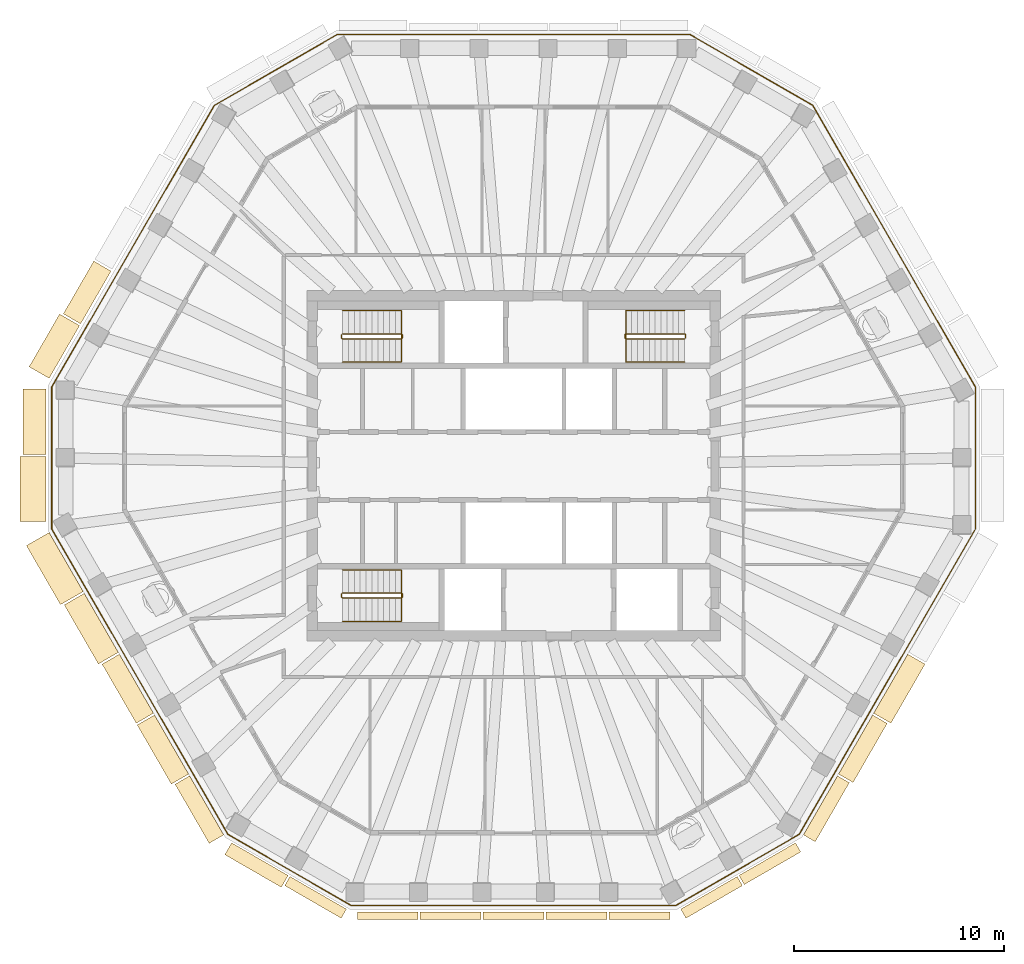
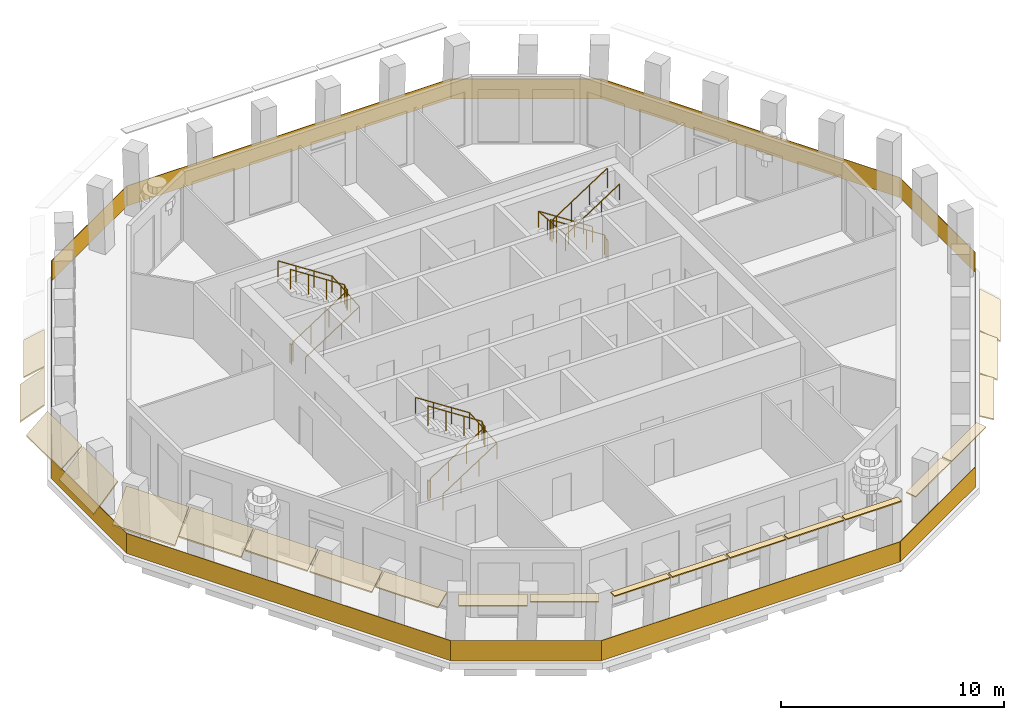
# One storey, part 8 of 11: 21 coverings, 7 railings.
"""IFC4 building model written with IfcOpenShell, lengths in metres."""

from ifc_helpers import new_model, si_unit, direction, frame, origin, origin_2d, place, context, subcontext, project, spatial, polyline, rectangle, circle, outline, extrude, material, layer, layer_set, type_object, element, save


model = new_model("IFC4")

# Units and contexts
model_context = context("Model", 3, precision=1e-05, world=origin(), true_north=direction((0.0, 1.0)))
body_context = subcontext(model_context, "Body", "Model", "MODEL_VIEW")
ifc_project = project(units=[si_unit("LENGTHUNIT", "METRE"), si_unit("AREAUNIT", "SQUARE_METRE"), si_unit("VOLUMEUNIT", "CUBIC_METRE"), si_unit("PLANEANGLEUNIT", "RADIAN"), si_unit("MASSUNIT", "GRAM", prefix="KILO")], contexts=[model_context])

# Site, building, storey
site_placement = place(None, origin())
site = spatial("IfcSite", under=ifc_project, at=site_placement, CompositionType="ELEMENT")
building_placement = place(site_placement, origin())
building = spatial("IfcBuilding", under=site, at=building_placement, Name="Frailejon Research Tower", CompositionType="ELEMENT")
storey_placement = place(building_placement, frame((0.0, 0.0, 320.60009765625)))
storey = spatial("IfcBuildingStorey", under=building, at=storey_placement, Name="L71", CompositionType="ELEMENT", Elevation=320.60009765625)

# Coverings
ifc_material_1 = material(Name="Precast concrete C50/60", Category="concrete")
ifc_layer_1 = layer(ifc_material_1, 0.06005859375)
ifc_layer_set_1 = layer_set([ifc_layer_1], Name="Brim blade depth 1100")
covering_type_1 = type_object("IfcCoveringType", Name="Brim blade depth 1100", PredefinedType="CLADDING", material=ifc_layer_set_1)
covering_1_placement = place(storey_placement, frame((-22.12890625, 4.17724609375, 3.849853515625), z_axis=(0.500005339875, 0.866022320784, 0.0), x_axis=(-0.866022320784, 0.500005339875, 0.0)))
element("IfcCovering", 1, at=covering_1_placement, inside=storey, type_object=covering_type_1, Name="Brim blade L71", PredefinedType="CLADDING", context=body_context, shape_type="SweptSolid", body=[
    extrude(outline(polyline([(0.0, -0.078369140625), (1.10009765625, -1.001220703125), (1.10009765625, -0.923095703125), (0.0, 0.0), (0.0, -0.078369140625)])), origin(), (0.0, 0.0, 1.0), 2.898681640625),
])
covering_2_placement = place(storey_placement, frame((-22.267822265625, 0.552734375, 3.849853515625), z_axis=(0.0, 1.0, 0.0), x_axis=(-1.0, 0.0, 0.0)))
element("IfcCovering", 2, at=covering_2_placement, inside=storey, type_object=covering_type_1, Name="Brim blade L71", PredefinedType="CLADDING", context=body_context, shape_type="SweptSolid", body=[
    extrude(outline(polyline([(0.0, -0.078369140625), (1.10009765625, -1.001220703125), (1.10009765625, -0.923095703125), (0.0, 0.0), (0.0, -0.078369140625)])), origin(), (0.0, 0.0, 1.0), 3.106201171875),
])
covering_3_placement = place(storey_placement, frame((-18.831787109375, -8.88232421875, 3.849853515625), z_axis=(-0.500007792011, 0.866020905018, 0.0), x_axis=(-0.866020905018, -0.500007792011, 0.0)))
element("IfcCovering", 3, at=covering_3_placement, inside=storey, type_object=covering_type_1, Name="Brim blade L71", PredefinedType="CLADDING", context=body_context, shape_type="SweptSolid", body=[
    extrude(outline(polyline([(0.0, -0.078369140625), (1.10009765625, -1.001220703125), (1.10009765625, -0.923095703125), (0.0, 0.0), (0.0, -0.078369140625)])), origin(), (0.0, 0.0, 1.0), 3.2470703125),
])
ifc_material_2 = material(Name="Precast concrete C50/60", Category="concrete")
ifc_layer_2 = layer(ifc_material_2, 0.06005859375)
ifc_layer_set_2 = layer_set([ifc_layer_2], Name="Brim blade depth 1250")
covering_type_2 = type_object("IfcCoveringType", Name="Brim blade depth 1250", PredefinedType="CLADDING", material=ifc_layer_set_2)
covering_4_placement = place(storey_placement, frame((-22.267822265625, -2.6533203125, 3.849853515625), z_axis=(0.0, 1.0, 0.0), x_axis=(-1.0, 0.0, 0.0)))
element("IfcCovering", 4, at=covering_4_placement, inside=storey, type_object=covering_type_2, Name="Brim blade L71", PredefinedType="CLADDING", context=body_context, shape_type="SweptSolid", body=[
    extrude(outline(polyline([(0.0, -0.0888671875), (1.25, -1.452880859375), (1.25, -1.364013671875), (0.0, 0.0), (0.0, -0.0888671875)])), origin(), (0.0, 0.0, 1.0), 3.10595703125),
])
covering_5_placement = place(storey_placement, frame((-20.50537109375, -5.983642578125, 3.849853515625), z_axis=(-0.499985384824, 0.866033841696, 0.0), x_axis=(-0.866033841696, -0.499985384824, 0.0)))
element("IfcCovering", 5, at=covering_5_placement, inside=storey, type_object=covering_type_2, Name="Brim blade L71", PredefinedType="CLADDING", context=body_context, shape_type="SweptSolid", body=[
    extrude(outline(polyline([(0.0, -0.0888671875), (1.25, -1.452880859375), (1.25, -1.364013671875), (0.0, 0.0), (0.0, -0.0888671875)])), origin(), (0.0, 0.0, 1.0), 3.2470703125),
])
ifc_material_3 = material(Name="Precast concrete C50/60", Category="concrete")
ifc_layer_3 = layer(ifc_material_3, 0.06005859375)
ifc_layer_set_3 = layer_set([ifc_layer_3], Name="Brim blade depth 350")
covering_type_3 = type_object("IfcCoveringType", Name="Brim blade depth 350", PredefinedType="CLADDING", material=ifc_layer_set_3)
for number, where, z_axis, x_axis, name in (
    (6, (-4.548095703125, -21.252685546875, 3.849853515625), (-1.0, 0.0, 0.0), (0.0, -1.0, 0.0), "Brim blade L71"),
    (7, (-1.54931640625, -21.252685546875, 3.849853515625), (-1.0, 0.0, 0.0), (0.0, -1.0, 0.0), "Brim blade L71"),
    (8, (1.449462890625, -21.252685546875, 3.849853515625), (-1.0, 0.0, 0.0), (0.0, -1.0, 0.0), "Brim blade L71"),
    (9, (4.4482421875, -21.252685546875, 3.849853515625), (-1.0, 0.0, 0.0), (0.0, -1.0, 0.0), "Brim blade L71"),
    (10, (7.447021484375, -21.252685546875, 3.849853515625), (-1.0, 0.0, 0.0), (0.0, -1.0, 0.0), "Brim blade L71"),
):
    element("IfcCovering", number, at=place(storey_placement, frame(where, z_axis=z_axis, x_axis=x_axis)), inside=storey, type_object=covering_type_3, Name=name, PredefinedType="CLADDING", context=body_context, shape_type="SweptSolid", body=[
        extrude(outline(polyline([(0.0, -0.06005859375), (0.35009765625, -0.06005859375), (0.35009765625, 0.0), (0.0, 0.0), (0.0, -0.06005859375)])), origin(), (0.0, 0.0, 1.0), 2.898681640625),
    ])
ifc_material_4 = material(Name="Precast concrete C50/60", Category="concrete")
ifc_layer_4 = layer(ifc_material_4, 0.06005859375)
ifc_layer_set_4 = layer_set([ifc_layer_4], Name="Brim blade depth 500")
covering_type_4 = type_object("IfcCoveringType", Name="Brim blade depth 500", PredefinedType="CLADDING", material=ifc_layer_set_4)
for number, where, z_axis, x_axis, name in (
    (11, (-7.965087890625, -21.114013671875, 3.849853515625), (-0.866034959906, 0.499983447946, 0.0), (-0.499983447946, -0.866034959906, 0.0), "Brim blade L71"),
    (12, (10.6552734375, -19.560791015625, 3.849853515625), (-0.866034959906, -0.499983447946, 0.0), (0.499983447946, -0.866034959906, 0.0), "Brim blade L71"),
):
    element("IfcCovering", number, at=place(storey_placement, frame(where, z_axis=z_axis, x_axis=x_axis)), inside=storey, type_object=covering_type_4, Name=name, PredefinedType="CLADDING", context=body_context, shape_type="SweptSolid", body=[
        extrude(outline(polyline([(0.0, -0.060546875), (0.5, -0.130859375), (0.5, -0.0703125), (0.0, 0.0), (0.0, -0.060546875)])), origin(), (0.0, 0.0, 1.0), 3.106201171875),
    ])
covering_6_placement = place(storey_placement, frame((13.431640625, -17.9580078125, 3.849853515625), z_axis=(-0.86602716254, -0.499996953734, 0.0), x_axis=(0.499996953734, -0.86602716254, 0.0)))
element("IfcCovering", 13, at=covering_6_placement, inside=storey, type_object=covering_type_4, Name="Brim blade L71", PredefinedType="CLADDING", context=body_context, shape_type="SweptSolid", body=[
    extrude(outline(polyline([(0.0, -0.060546875), (0.5, -0.130859375), (0.5, -0.0703125), (0.0, 0.0), (0.0, -0.060546875)])), origin(), (0.0, 0.0, 1.0), 3.10595703125),
])
ifc_material_5 = material(Name="Precast concrete C50/60", Category="concrete")
ifc_layer_5 = layer(ifc_material_5, 0.06005859375)
ifc_layer_set_5 = layer_set([ifc_layer_5], Name="Brim blade depth 650")
covering_type_5 = type_object("IfcCoveringType", Name="Brim blade depth 650", PredefinedType="CLADDING", material=ifc_layer_set_5)
covering_7_placement = place(storey_placement, frame((-10.74169921875, -19.510986328125, 3.849853515625), z_axis=(-0.86602716254, 0.499996953734, 0.0), x_axis=(-0.499996953734, -0.86602716254, 0.0)))
element("IfcCovering", 14, at=covering_7_placement, inside=storey, type_object=covering_type_5, Name="Brim blade L71", PredefinedType="CLADDING", context=body_context, shape_type="SweptSolid", body=[
    extrude(outline(polyline([(0.0, -0.0625), (0.64990234375, -0.248779296875), (0.64990234375, -0.186279296875), (0.0, 0.0), (0.0, -0.0625)])), origin(), (0.0, 0.0, 1.0), 3.10595703125),
])
covering_8_placement = place(storey_placement, frame((15.434814453125, -14.766357421875, 3.849853515625), z_axis=(-0.500007792011, -0.866020905018, 0.0), x_axis=(0.866020905018, -0.500007792011, 0.0)))
element("IfcCovering", 15, at=covering_8_placement, inside=storey, type_object=covering_type_5, Name="Brim blade L71", PredefinedType="CLADDING", context=body_context, shape_type="SweptSolid", body=[
    extrude(outline(polyline([(0.0, -0.0625), (0.64990234375, -0.248779296875), (0.64990234375, -0.186279296875), (0.0, 0.0), (0.0, -0.0625)])), origin(), (0.0, 0.0, 1.0), 3.2470703125),
])
ifc_material_6 = material(Name="Precast concrete C50/60", Category="concrete")
ifc_layer_6 = layer(ifc_material_6, 0.06005859375)
ifc_layer_set_6 = layer_set([ifc_layer_6], Name="Brim blade depth 800")
covering_type_6 = type_object("IfcCoveringType", Name="Brim blade depth 800", PredefinedType="CLADDING", material=ifc_layer_set_6)
for number, where, z_axis, x_axis, name in (
    (16, (-13.81103515625, -17.57861328125, 3.849853515625), (-0.500007792011, 0.866020905018, 0.0), (-0.866020905018, -0.500007792011, 0.0), "Brim blade L71"),
    (17, (17.108154296875, -11.86767578125, 3.849853515625), (-0.499985384824, -0.866033841696, 0.0), (0.866033841696, -0.499985384824, 0.0), "Brim blade L71"),
):
    element("IfcCovering", number, at=place(storey_placement, frame(where, z_axis=z_axis, x_axis=x_axis)), inside=storey, type_object=covering_type_6, Name=name, PredefinedType="CLADDING", context=body_context, shape_type="SweptSolid", body=[
        extrude(outline(polyline([(0.0, -0.065673828125), (0.800048828125, -0.421875), (0.800048828125, -0.356201171875), (0.0, 0.0), (0.0, -0.065673828125)])), origin(), (0.0, 0.0, 1.0), 3.2470703125),
    ])
ifc_material_7 = material(Name="Precast concrete C50/60", Category="concrete")
ifc_layer_7 = layer(ifc_material_7, 0.06005859375)
ifc_layer_set_7 = layer_set([ifc_layer_7], Name="Brim blade depth 950")
covering_type_7 = type_object("IfcCoveringType", Name="Brim blade depth 950", PredefinedType="CLADDING", material=ifc_layer_set_7)
covering_9_placement = place(storey_placement, frame((-20.62939453125, 6.774169921875, 3.849853515625), z_axis=(0.499980329235, 0.866036760408, 0.0), x_axis=(-0.866036760408, 0.499980329235, 0.0)))
element("IfcCovering", 18, at=covering_9_placement, inside=storey, type_object=covering_type_7, Name="Brim blade L71", PredefinedType="CLADDING", context=body_context, shape_type="SweptSolid", body=[
    extrude(outline(polyline([(0.0, -0.07080078125), (0.949951171875, -0.664306640625), (0.949951171875, -0.593505859375), (0.0, 0.0), (0.0, -0.07080078125)])), origin(), (0.0, 0.0, 1.0), 2.898681640625),
])
covering_10_placement = place(storey_placement, frame((-17.158203125, -11.781005859375, 3.849853515625), z_axis=(-0.4999948551, 0.866028374173, 0.0), x_axis=(-0.866028374173, -0.4999948551, 0.0)))
element("IfcCovering", 19, at=covering_10_placement, inside=storey, type_object=covering_type_7, Name="Brim blade L71", PredefinedType="CLADDING", context=body_context, shape_type="SweptSolid", body=[
    extrude(outline(polyline([(0.0, -0.07080078125), (0.949951171875, -0.664306640625), (0.949951171875, -0.593505859375), (0.0, 0.0), (0.0, -0.07080078125)])), origin(), (0.0, 0.0, 1.0), 3.247314453125),
])
covering_11_placement = place(storey_placement, frame((-15.484619140625, -14.6796875, 3.849853515625), z_axis=(-0.499985384824, 0.866033841696, 0.0), x_axis=(-0.866033841696, -0.499985384824, 0.0)))
element("IfcCovering", 20, at=covering_11_placement, inside=storey, type_object=covering_type_7, Name="Brim blade L71", PredefinedType="CLADDING", context=body_context, shape_type="SweptSolid", body=[
    extrude(outline(polyline([(0.0, -0.07080078125), (0.949951171875, -0.664306640625), (0.949951171875, -0.593505859375), (0.0, 0.0), (0.0, -0.07080078125)])), origin(), (0.0, 0.0, 1.0), 3.2470703125),
])
covering_12_placement = place(storey_placement, frame((18.78173828125, -8.968994140625, 3.849853515625), z_axis=(-0.4999948551, -0.866028374173, 0.0), x_axis=(0.866028374173, -0.4999948551, 0.0)))
element("IfcCovering", 21, at=covering_12_placement, inside=storey, type_object=covering_type_7, Name="Brim blade L71", PredefinedType="CLADDING", context=body_context, shape_type="SweptSolid", body=[
    extrude(outline(polyline([(0.0, -0.07080078125), (0.949951171875, -0.664306640625), (0.949951171875, -0.593505859375), (0.0, 0.0), (0.0, -0.07080078125)])), origin(), (0.0, 0.0, 1.0), 3.247314453125),
])

# Railings
ifc_material_8 = material(Name="Laminated glass balustrade", Category="glass")
railing_type_1 = type_object("IfcRailingType", Name="Glass guard 1100", PredefinedType="GUARDRAIL", material=ifc_material_8)
railing_1_placement = place(storey_placement, frame((22.00634765625, -3.006103515625, 0.0)))
element("IfcRailing", 22, at=railing_1_placement, inside=storey, type_object=railing_type_1, Name="Loggia guard L71", PredefinedType="GUARDRAIL", context=body_context, shape_type="SweptSolid", body=[
    extrude(rectangle(XDim=6.766357421875, YDim=0.030029296875, at=origin_2d()), frame((0.0, 3.38330078125, 0.0), z_axis=(0.0, 0.0, 1.0), x_axis=(0.0, 1.0, 0.0)), (0.0, 0.0, 1.0), 1.10009765625),
    extrude(rectangle(XDim=15.493408203125, YDim=0.030029296875, at=origin_2d()), frame((-3.873291015625, 13.47509765625, 0.0), z_axis=(0.0, 0.0, 1.0), x_axis=(-0.499992986478, 0.866029453005, 0.0)), (0.0, 0.0, 1.0), 1.10009765625),
    extrude(rectangle(XDim=6.766357421875, YDim=0.030029296875, at=origin_2d()), frame((-10.676513671875, 21.87548828125, 0.0), z_axis=(0.0, 0.0, 1.0), x_axis=(-0.866034171151, 0.499984814167, 0.0)), (0.0, 0.0, 1.0), 1.10009765625),
    extrude(rectangle(XDim=16.7998046875, YDim=0.030029296875, at=origin_2d()), frame((-22.00634765625, 23.567138671875, 0.0), z_axis=(0.0, 0.0, 1.0), x_axis=(-1.0, 0.0, 0.0)), (0.0, 0.0, 1.0), 1.10009765625),
    extrude(rectangle(XDim=6.766357421875, YDim=0.030029296875, at=origin_2d()), frame((-33.336181640625, 21.87548828125, 0.0), z_axis=(0.0, 0.0, 1.0), x_axis=(-0.866034171151, -0.499984814167, 0.0)), (0.0, 0.0, 1.0), 1.10009765625),
    extrude(rectangle(XDim=15.493408203125, YDim=0.030029296875, at=origin_2d()), frame((-40.139404296875, 13.47509765625, 0.0), z_axis=(0.0, 0.0, 1.0), x_axis=(-0.499992986478, -0.866029453005, 0.0)), (0.0, 0.0, 1.0), 1.10009765625),
    extrude(rectangle(XDim=6.766357421875, YDim=0.030029296875, at=origin_2d()), frame((-44.0126953125, 3.38330078125, 0.0), z_axis=(0.0, 0.0, 1.0), x_axis=(0.0, -1.0, 0.0)), (0.0, 0.0, 1.0), 1.10009765625),
    extrude(rectangle(XDim=16.799560546875, YDim=0.030029296875, at=origin_2d()), frame((-39.812744140625, -7.2744140625, 0.0), z_axis=(0.0, 0.0, 1.0), x_axis=(0.500005915725, -0.866021988312, 0.0)), (0.0, 0.0, 1.0), 1.10009765625),
    extrude(rectangle(XDim=6.766357421875, YDim=0.030029296875, at=origin_2d()), frame((-32.682861328125, -16.240478515625, 0.0), z_axis=(0.0, 0.0, 1.0), x_axis=(0.866018547471, -0.500011875296, 0.0)), (0.0, 0.0, 1.0), 1.10009765625),
    extrude(rectangle(XDim=15.4931640625, YDim=0.030029296875, at=origin_2d()), frame((-22.00634765625, -17.93212890625, 0.0), z_axis=(0.0, 0.0, 1.0), x_axis=(1.0, 0.0, 0.0)), (0.0, 0.0, 1.0), 1.10009765625),
    extrude(rectangle(XDim=6.766357421875, YDim=0.030029296875, at=origin_2d()), frame((-11.329833984375, -16.240478515625, 0.0), z_axis=(0.0, 0.0, 1.0), x_axis=(0.866018547471, 0.500011875296, 0.0)), (0.0, 0.0, 1.0), 1.10009765625),
    extrude(rectangle(XDim=16.729736328125, YDim=0.030029296875, at=origin_2d()), frame((-4.21728515625, -7.3046875, 0.0), z_axis=(0.0, 0.0, 1.0), x_axis=(0.500007941892, 0.866020818482, 0.0)), (0.0, 0.0, 1.0), 1.10009765625),
])
ifc_material_9 = material(Name="Stainless steel", Category="steel")
railing_type_2 = type_object("IfcRailingType", Name="Stair guard 1100", PredefinedType="GUARDRAIL", material=ifc_material_9)
railing_2_placement = place(storey_placement, frame((-8.199951171875, 6.25, 0.0)))
element("IfcRailing", 23, at=railing_2_placement, inside=storey, type_object=railing_type_2, Name="L71 ST1 stair guard 1", PredefinedType="GUARDRAIL", context=body_context, shape_type="SweptSolid", body=[
    extrude(circle(Radius=0.02392578125, at=origin_2d()), frame((0.0, 0.0, 1.076171875), z_axis=(0.0, -1.0, 0.0), x_axis=(1.0, 0.0, 0.0)), (0.0, 0.0, 1.0), 0.14990234375),
    extrude(circle(Radius=0.02392578125, at=origin_2d()), frame((0.0, -0.14990234375, 1.076171875), z_axis=(0.256734642926, -0.256734642926, 0.931758899203), x_axis=(0.707106781187, 0.707106781187, 0.0)), (0.0, 0.0, 1.0), 0.19482421875),
    extrude(circle(Radius=0.02392578125, at=origin_2d()), frame((0.050048828125, -0.199951171875, 1.2578125), z_axis=(0.838650734948, 0.0, 0.544669573936), x_axis=(0.0, 1.0, 0.0)), (0.0, 0.0, 1.0), 3.33837890625),
    extrude(circle(Radius=0.02392578125, at=origin_2d()), frame((2.849853515625, -0.199951171875, 3.076171875), z_axis=(0.707106781187, 0.707106781187, 0.0), x_axis=(-0.707106781187, 0.707106781187, 0.0)), (0.0, 0.0, 1.0), 0.07080078125),
    extrude(circle(Radius=0.02392578125, at=origin_2d()), frame((2.89990234375, -0.14990234375, 3.076171875), z_axis=(0.0, 1.0, 0.0), x_axis=(-1.0, 0.0, 0.0)), (0.0, 0.0, 1.0), 0.14990234375),
    extrude(circle(Radius=0.02392578125, at=origin_2d()), frame((2.89990234375, 0.0, 3.076171875), z_axis=(-0.256734642926, 0.256734642926, 0.931758899203), x_axis=(-0.707106781187, -0.707106781187, 0.0)), (0.0, 0.0, 1.0), 0.19482421875),
    extrude(circle(Radius=0.02392578125, at=origin_2d()), frame((2.849853515625, 0.050048828125, 3.2578125), z_axis=(-0.838650734948, 0.0, 0.544669573936), x_axis=(0.0, -1.0, 0.0)), (0.0, 0.0, 1.0), 3.33837890625),
    extrude(circle(Radius=0.02099609375, at=origin_2d()), origin(), (0.0, 0.0, 1.0), 1.052001953125),
    extrude(circle(Radius=0.02099609375, at=origin_2d()), frame((0.0, -0.14990234375, 0.0)), (0.0, 0.0, 1.0), 1.052001953125),
    extrude(circle(Radius=0.02099609375, at=origin_2d()), frame((0.050048828125, -0.199951171875, 0.181640625)), (0.0, 0.0, 1.0), 1.052001953125),
    extrude(circle(Radius=0.02099609375, at=origin_2d()), frame((0.9833984375, -0.199951171875, 0.787841796875)), (0.0, 0.0, 1.0), 1.052001953125),
    extrude(circle(Radius=0.02099609375, at=origin_2d()), frame((1.91650390625, -0.199951171875, 1.393798828125)), (0.0, 0.0, 1.0), 1.052001953125),
    extrude(circle(Radius=0.02099609375, at=origin_2d()), frame((2.849853515625, -0.199951171875, 2.0)), (0.0, 0.0, 1.0), 1.052001953125),
    extrude(circle(Radius=0.02099609375, at=origin_2d()), frame((2.89990234375, -0.14990234375, 2.0)), (0.0, 0.0, 1.0), 1.052001953125),
    extrude(circle(Radius=0.02099609375, at=origin_2d()), frame((2.89990234375, 0.0, 2.0)), (0.0, 0.0, 1.0), 1.052001953125),
    extrude(circle(Radius=0.02099609375, at=origin_2d()), frame((2.849853515625, 0.050048828125, 2.181640625)), (0.0, 0.0, 1.0), 1.052001953125),
    extrude(circle(Radius=0.02099609375, at=origin_2d()), frame((1.91650390625, 0.050048828125, 2.787841796875)), (0.0, 0.0, 1.0), 1.052001953125),
    extrude(circle(Radius=0.02099609375, at=origin_2d()), frame((0.9833984375, 0.050048828125, 3.393798828125)), (0.0, 0.0, 1.0), 1.052001953125),
    extrude(circle(Radius=0.02099609375, at=origin_2d()), frame((0.050048828125, 0.050048828125, 4.0)), (0.0, 0.0, 1.0), 1.052001953125),
])
railing_3_placement = place(storey_placement, frame((-8.199951171875, -6.10009765625, 0.0)))
element("IfcRailing", 24, at=railing_3_placement, inside=storey, type_object=railing_type_2, Name="L71 ST2 stair guard 1", PredefinedType="GUARDRAIL", context=body_context, shape_type="SweptSolid", body=[
    extrude(circle(Radius=0.02392578125, at=origin_2d()), frame((0.0, 0.0, 1.076171875), z_axis=(0.0, -1.0, 0.0), x_axis=(1.0, 0.0, 0.0)), (0.0, 0.0, 1.0), 0.14990234375),
    extrude(circle(Radius=0.02392578125, at=origin_2d()), frame((0.0, -0.14990234375, 1.076171875), z_axis=(0.256734642926, -0.256734642926, 0.931758899203), x_axis=(0.707106781187, 0.707106781187, 0.0)), (0.0, 0.0, 1.0), 0.19482421875),
    extrude(circle(Radius=0.02392578125, at=origin_2d()), frame((0.050048828125, -0.199951171875, 1.2578125), z_axis=(0.838650734948, 0.0, 0.544669573936), x_axis=(0.0, 1.0, 0.0)), (0.0, 0.0, 1.0), 3.33837890625),
    extrude(circle(Radius=0.02392578125, at=origin_2d()), frame((2.849853515625, -0.199951171875, 3.076171875), z_axis=(0.707106781187, 0.707106781187, 0.0), x_axis=(-0.707106781187, 0.707106781187, 0.0)), (0.0, 0.0, 1.0), 0.07080078125),
    extrude(circle(Radius=0.02392578125, at=origin_2d()), frame((2.89990234375, -0.14990234375, 3.076171875), z_axis=(0.0, 1.0, 0.0), x_axis=(-1.0, 0.0, 0.0)), (0.0, 0.0, 1.0), 0.14990234375),
    extrude(circle(Radius=0.02392578125, at=origin_2d()), frame((2.89990234375, 0.0, 3.076171875), z_axis=(-0.256734642926, 0.256734642926, 0.931758899203), x_axis=(-0.707106781187, -0.707106781187, 0.0)), (0.0, 0.0, 1.0), 0.19482421875),
    extrude(circle(Radius=0.02392578125, at=origin_2d()), frame((2.849853515625, 0.050048828125, 3.2578125), z_axis=(-0.838650734948, 0.0, 0.544669573936), x_axis=(0.0, -1.0, 0.0)), (0.0, 0.0, 1.0), 3.33837890625),
    extrude(circle(Radius=0.02099609375, at=origin_2d()), origin(), (0.0, 0.0, 1.0), 1.052001953125),
    extrude(circle(Radius=0.02099609375, at=origin_2d()), frame((0.0, -0.14990234375, 0.0)), (0.0, 0.0, 1.0), 1.052001953125),
    extrude(circle(Radius=0.02099609375, at=origin_2d()), frame((0.050048828125, -0.199951171875, 0.181640625)), (0.0, 0.0, 1.0), 1.052001953125),
    extrude(circle(Radius=0.02099609375, at=origin_2d()), frame((0.9833984375, -0.199951171875, 0.787841796875)), (0.0, 0.0, 1.0), 1.052001953125),
    extrude(circle(Radius=0.02099609375, at=origin_2d()), frame((1.91650390625, -0.199951171875, 1.393798828125)), (0.0, 0.0, 1.0), 1.052001953125),
    extrude(circle(Radius=0.02099609375, at=origin_2d()), frame((2.849853515625, -0.199951171875, 2.0)), (0.0, 0.0, 1.0), 1.052001953125),
    extrude(circle(Radius=0.02099609375, at=origin_2d()), frame((2.89990234375, -0.14990234375, 2.0)), (0.0, 0.0, 1.0), 1.052001953125),
    extrude(circle(Radius=0.02099609375, at=origin_2d()), frame((2.89990234375, 0.0, 2.0)), (0.0, 0.0, 1.0), 1.052001953125),
    extrude(circle(Radius=0.02099609375, at=origin_2d()), frame((2.849853515625, 0.050048828125, 2.181640625)), (0.0, 0.0, 1.0), 1.052001953125),
    extrude(circle(Radius=0.02099609375, at=origin_2d()), frame((1.91650390625, 0.050048828125, 2.787841796875)), (0.0, 0.0, 1.0), 1.052001953125),
    extrude(circle(Radius=0.02099609375, at=origin_2d()), frame((0.9833984375, 0.050048828125, 3.393798828125)), (0.0, 0.0, 1.0), 1.052001953125),
    extrude(circle(Radius=0.02099609375, at=origin_2d()), frame((0.050048828125, 0.050048828125, 4.0)), (0.0, 0.0, 1.0), 1.052001953125),
])
railing_4_placement = place(storey_placement, frame((8.199951171875, 6.10009765625, 0.0)))
element("IfcRailing", 25, at=railing_4_placement, inside=storey, type_object=railing_type_2, Name="L71 ST3 stair guard 1", PredefinedType="GUARDRAIL", context=body_context, shape_type="SweptSolid", body=[
    extrude(circle(Radius=0.02392578125, at=origin_2d()), frame((0.0, 0.0, 1.076171875), z_axis=(0.0, 1.0, 0.0), x_axis=(-1.0, 0.0, 0.0)), (0.0, 0.0, 1.0), 0.14990234375),
    extrude(circle(Radius=0.02392578125, at=origin_2d()), frame((0.0, 0.14990234375, 1.076171875), z_axis=(-0.256734642926, 0.256734642926, 0.931758899203), x_axis=(-0.707106781187, -0.707106781187, 0.0)), (0.0, 0.0, 1.0), 0.19482421875),
    extrude(circle(Radius=0.02392578125, at=origin_2d()), frame((-0.050048828125, 0.199951171875, 1.2578125), z_axis=(-0.838650734948, 0.0, 0.544669573936), x_axis=(0.0, -1.0, 0.0)), (0.0, 0.0, 1.0), 3.33837890625),
    extrude(circle(Radius=0.02392578125, at=origin_2d()), frame((-2.849853515625, 0.199951171875, 3.076171875), z_axis=(-0.707106781187, -0.707106781187, 0.0), x_axis=(0.707106781187, -0.707106781187, 0.0)), (0.0, 0.0, 1.0), 0.07080078125),
    extrude(circle(Radius=0.02392578125, at=origin_2d()), frame((-2.89990234375, 0.14990234375, 3.076171875), z_axis=(0.0, -1.0, 0.0), x_axis=(1.0, 0.0, 0.0)), (0.0, 0.0, 1.0), 0.14990234375),
    extrude(circle(Radius=0.02392578125, at=origin_2d()), frame((-2.89990234375, 0.0, 3.076171875), z_axis=(0.256734642926, -0.256734642926, 0.931758899203), x_axis=(0.707106781187, 0.707106781187, 0.0)), (0.0, 0.0, 1.0), 0.19482421875),
    extrude(circle(Radius=0.02392578125, at=origin_2d()), frame((-2.849853515625, -0.050048828125, 3.2578125), z_axis=(0.838650734948, 0.0, 0.544669573936), x_axis=(0.0, 1.0, 0.0)), (0.0, 0.0, 1.0), 3.33837890625),
    extrude(circle(Radius=0.02099609375, at=origin_2d()), origin(), (0.0, 0.0, 1.0), 1.052001953125),
    extrude(circle(Radius=0.02099609375, at=origin_2d()), frame((0.0, 0.14990234375, 0.0)), (0.0, 0.0, 1.0), 1.052001953125),
    extrude(circle(Radius=0.02099609375, at=origin_2d()), frame((-0.050048828125, 0.199951171875, 0.181640625)), (0.0, 0.0, 1.0), 1.052001953125),
    extrude(circle(Radius=0.02099609375, at=origin_2d()), frame((-0.9833984375, 0.199951171875, 0.787841796875)), (0.0, 0.0, 1.0), 1.052001953125),
    extrude(circle(Radius=0.02099609375, at=origin_2d()), frame((-1.91650390625, 0.199951171875, 1.393798828125)), (0.0, 0.0, 1.0), 1.052001953125),
    extrude(circle(Radius=0.02099609375, at=origin_2d()), frame((-2.849853515625, 0.199951171875, 2.0)), (0.0, 0.0, 1.0), 1.052001953125),
    extrude(circle(Radius=0.02099609375, at=origin_2d()), frame((-2.89990234375, 0.14990234375, 2.0)), (0.0, 0.0, 1.0), 1.052001953125),
    extrude(circle(Radius=0.02099609375, at=origin_2d()), frame((-2.89990234375, 0.0, 2.0)), (0.0, 0.0, 1.0), 1.052001953125),
    extrude(circle(Radius=0.02099609375, at=origin_2d()), frame((-2.849853515625, -0.050048828125, 2.181640625)), (0.0, 0.0, 1.0), 1.052001953125),
    extrude(circle(Radius=0.02099609375, at=origin_2d()), frame((-1.91650390625, -0.050048828125, 2.787841796875)), (0.0, 0.0, 1.0), 1.052001953125),
    extrude(circle(Radius=0.02099609375, at=origin_2d()), frame((-0.9833984375, -0.050048828125, 3.393798828125)), (0.0, 0.0, 1.0), 1.052001953125),
    extrude(circle(Radius=0.02099609375, at=origin_2d()), frame((-0.050048828125, -0.050048828125, 4.0)), (0.0, 0.0, 1.0), 1.052001953125),
])
ifc_material_10 = material(Name="Stainless steel", Category="steel")
railing_type_3 = type_object("IfcRailingType", Name="Stair handrail 900", PredefinedType="HANDRAIL", material=ifc_material_10)
railing_5_placement = place(storey_placement, frame((-8.14990234375, 4.949951171875, 0.181640625)))
element("IfcRailing", 26, at=railing_5_placement, inside=storey, type_object=railing_type_3, Name="L71 ST1 stair handrail 1", PredefinedType="HANDRAIL", context=body_context, shape_type="SweptSolid", body=[
    extrude(circle(Radius=0.02392578125, at=origin_2d()), frame((0.0, 0.0, 0.8759765625), z_axis=(0.838650734948, 0.0, 0.544669573936), x_axis=(0.0, 1.0, 0.0)), (0.0, 0.0, 1.0), 3.33837890625),
    extrude(circle(Radius=0.02392578125, at=origin_2d()), frame((2.7998046875, 0.0, 2.6943359375), z_axis=(0.0, 0.997262871482, 0.073937576122), x_axis=(-1.0, 0.0, 0.0)), (0.0, 0.0, 1.0), 2.456787109375),
    extrude(circle(Radius=0.02392578125, at=origin_2d()), frame((2.7998046875, 2.449951171875, 2.8759765625), z_axis=(-0.838650734948, 0.0, 0.544669573936), x_axis=(0.0, -1.0, 0.0)), (0.0, 0.0, 1.0), 3.33837890625),
    extrude(circle(Radius=0.02099609375, at=origin_2d()), origin(), (0.0, 0.0, 1.0), 0.851806640625),
    extrude(circle(Radius=0.02099609375, at=origin_2d()), frame((0.933349609375, 0.0, 0.606201171875)), (0.0, 0.0, 1.0), 0.851806640625),
    extrude(circle(Radius=0.02099609375, at=origin_2d()), frame((1.866455078125, 0.0, 1.212158203125)), (0.0, 0.0, 1.0), 0.851806640625),
    extrude(circle(Radius=0.02099609375, at=origin_2d()), frame((2.7998046875, 0.0, 1.818359375)), (0.0, 0.0, 1.0), 0.851806640625),
    extrude(circle(Radius=0.02099609375, at=origin_2d()), frame((2.7998046875, 0.816650390625, 1.87890625)), (0.0, 0.0, 1.0), 0.851806640625),
    extrude(circle(Radius=0.02099609375, at=origin_2d()), frame((2.7998046875, 1.63330078125, 1.939453125)), (0.0, 0.0, 1.0), 0.851806640625),
    extrude(circle(Radius=0.02099609375, at=origin_2d()), frame((2.7998046875, 2.449951171875, 2.0)), (0.0, 0.0, 1.0), 0.851806640625),
    extrude(circle(Radius=0.02099609375, at=origin_2d()), frame((1.866455078125, 2.449951171875, 2.606201171875)), (0.0, 0.0, 1.0), 0.851806640625),
    extrude(circle(Radius=0.02099609375, at=origin_2d()), frame((0.933349609375, 2.449951171875, 3.212158203125)), (0.0, 0.0, 1.0), 0.851806640625),
    extrude(circle(Radius=0.02099609375, at=origin_2d()), frame((0.0, 2.449951171875, 3.818359375)), (0.0, 0.0, 1.0), 0.851806640625),
])
railing_6_placement = place(storey_placement, frame((-8.14990234375, -7.39990234375, 0.181640625)))
element("IfcRailing", 27, at=railing_6_placement, inside=storey, type_object=railing_type_3, Name="L71 ST2 stair handrail 1", PredefinedType="HANDRAIL", context=body_context, shape_type="SweptSolid", body=[
    extrude(circle(Radius=0.02392578125, at=origin_2d()), frame((0.0, 0.0, 0.8759765625), z_axis=(0.838650734948, 0.0, 0.544669573936), x_axis=(0.0, 1.0, 0.0)), (0.0, 0.0, 1.0), 3.33837890625),
    extrude(circle(Radius=0.02392578125, at=origin_2d()), frame((2.7998046875, 0.0, 2.6943359375), z_axis=(0.0, 0.997262871482, 0.073937576122), x_axis=(-1.0, 0.0, 0.0)), (0.0, 0.0, 1.0), 2.456787109375),
    extrude(circle(Radius=0.02392578125, at=origin_2d()), frame((2.7998046875, 2.449951171875, 2.8759765625), z_axis=(-0.838650734948, 0.0, 0.544669573936), x_axis=(0.0, -1.0, 0.0)), (0.0, 0.0, 1.0), 3.33837890625),
    extrude(circle(Radius=0.02099609375, at=origin_2d()), origin(), (0.0, 0.0, 1.0), 0.851806640625),
    extrude(circle(Radius=0.02099609375, at=origin_2d()), frame((0.933349609375, 0.0, 0.606201171875)), (0.0, 0.0, 1.0), 0.851806640625),
    extrude(circle(Radius=0.02099609375, at=origin_2d()), frame((1.866455078125, 0.0, 1.212158203125)), (0.0, 0.0, 1.0), 0.851806640625),
    extrude(circle(Radius=0.02099609375, at=origin_2d()), frame((2.7998046875, 0.0, 1.818359375)), (0.0, 0.0, 1.0), 0.851806640625),
    extrude(circle(Radius=0.02099609375, at=origin_2d()), frame((2.7998046875, 0.816650390625, 1.87890625)), (0.0, 0.0, 1.0), 0.851806640625),
    extrude(circle(Radius=0.02099609375, at=origin_2d()), frame((2.7998046875, 1.63330078125, 1.939453125)), (0.0, 0.0, 1.0), 0.851806640625),
    extrude(circle(Radius=0.02099609375, at=origin_2d()), frame((2.7998046875, 2.449951171875, 2.0)), (0.0, 0.0, 1.0), 0.851806640625),
    extrude(circle(Radius=0.02099609375, at=origin_2d()), frame((1.866455078125, 2.449951171875, 2.606201171875)), (0.0, 0.0, 1.0), 0.851806640625),
    extrude(circle(Radius=0.02099609375, at=origin_2d()), frame((0.933349609375, 2.449951171875, 3.212158203125)), (0.0, 0.0, 1.0), 0.851806640625),
    extrude(circle(Radius=0.02099609375, at=origin_2d()), frame((0.0, 2.449951171875, 3.818359375)), (0.0, 0.0, 1.0), 0.851806640625),
])
railing_7_placement = place(storey_placement, frame((8.14990234375, 7.39990234375, 0.181640625)))
element("IfcRailing", 28, at=railing_7_placement, inside=storey, type_object=railing_type_3, Name="L71 ST3 stair handrail 1", PredefinedType="HANDRAIL", context=body_context, shape_type="SweptSolid", body=[
    extrude(circle(Radius=0.02392578125, at=origin_2d()), frame((0.0, 0.0, 0.8759765625), z_axis=(-0.838650734948, 0.0, 0.544669573936), x_axis=(0.0, -1.0, 0.0)), (0.0, 0.0, 1.0), 3.33837890625),
    extrude(circle(Radius=0.02392578125, at=origin_2d()), frame((-2.7998046875, 0.0, 2.6943359375), z_axis=(0.0, -0.997262871482, 0.073937576122), x_axis=(1.0, 0.0, 0.0)), (0.0, 0.0, 1.0), 2.456787109375),
    extrude(circle(Radius=0.02392578125, at=origin_2d()), frame((-2.7998046875, -2.449951171875, 2.8759765625), z_axis=(0.838650734948, 0.0, 0.544669573936), x_axis=(0.0, 1.0, 0.0)), (0.0, 0.0, 1.0), 3.33837890625),
    extrude(circle(Radius=0.02099609375, at=origin_2d()), origin(), (0.0, 0.0, 1.0), 0.851806640625),
    extrude(circle(Radius=0.02099609375, at=origin_2d()), frame((-0.933349609375, 0.0, 0.606201171875)), (0.0, 0.0, 1.0), 0.851806640625),
    extrude(circle(Radius=0.02099609375, at=origin_2d()), frame((-1.866455078125, 0.0, 1.212158203125)), (0.0, 0.0, 1.0), 0.851806640625),
    extrude(circle(Radius=0.02099609375, at=origin_2d()), frame((-2.7998046875, 0.0, 1.818359375)), (0.0, 0.0, 1.0), 0.851806640625),
    extrude(circle(Radius=0.02099609375, at=origin_2d()), frame((-2.7998046875, -0.816650390625, 1.87890625)), (0.0, 0.0, 1.0), 0.851806640625),
    extrude(circle(Radius=0.02099609375, at=origin_2d()), frame((-2.7998046875, -1.63330078125, 1.939453125)), (0.0, 0.0, 1.0), 0.851806640625),
    extrude(circle(Radius=0.02099609375, at=origin_2d()), frame((-2.7998046875, -2.449951171875, 2.0)), (0.0, 0.0, 1.0), 0.851806640625),
    extrude(circle(Radius=0.02099609375, at=origin_2d()), frame((-1.866455078125, -2.449951171875, 2.606201171875)), (0.0, 0.0, 1.0), 0.851806640625),
    extrude(circle(Radius=0.02099609375, at=origin_2d()), frame((-0.933349609375, -2.449951171875, 3.212158203125)), (0.0, 0.0, 1.0), 0.851806640625),
    extrude(circle(Radius=0.02099609375, at=origin_2d()), frame((0.0, -2.449951171875, 3.818359375)), (0.0, 0.0, 1.0), 0.851806640625),
])

save(model, "model.ifc")
